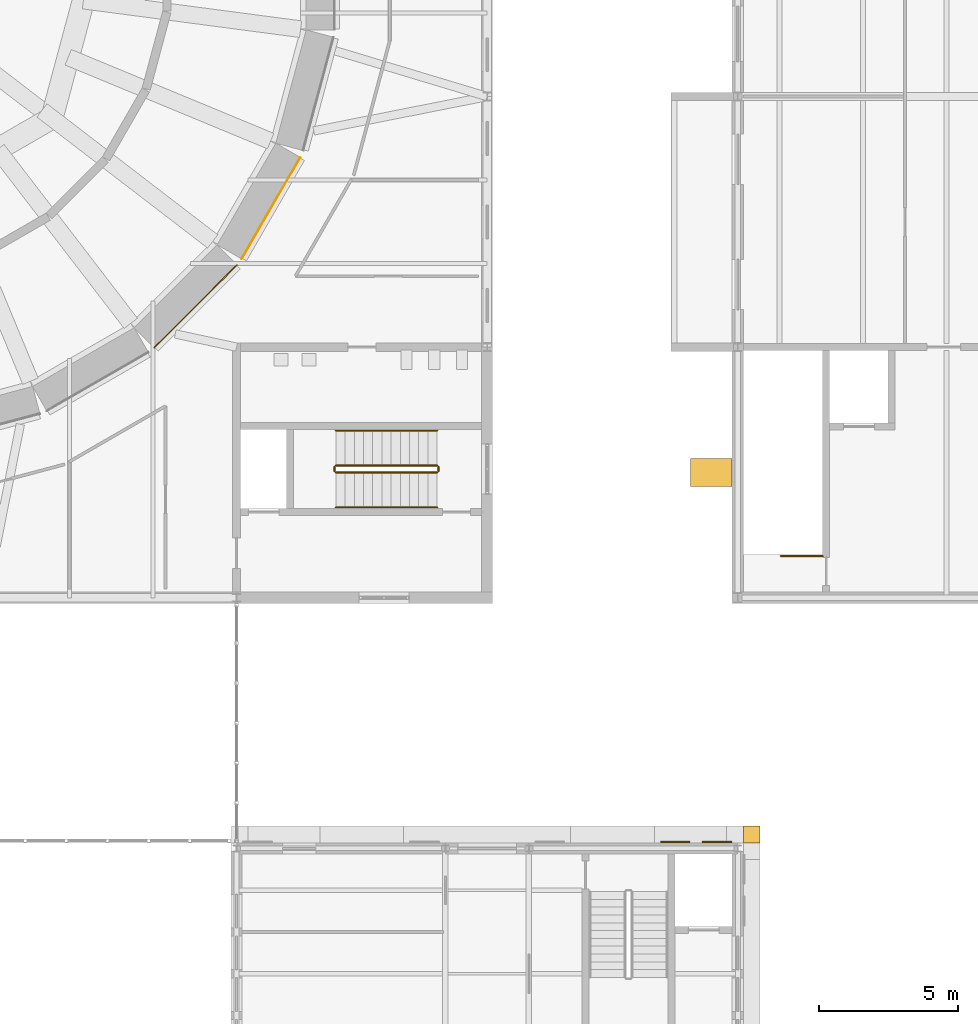
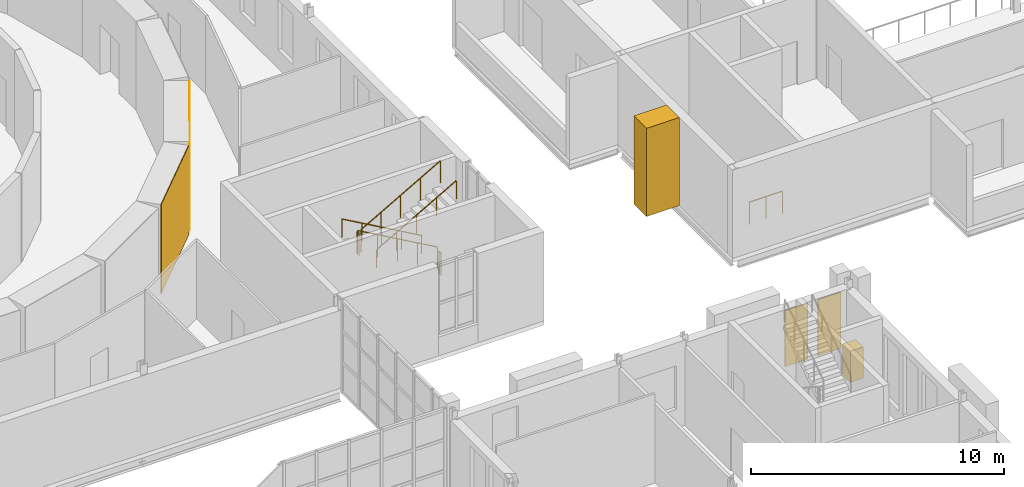
# One storey, part 121 of 131: 7 railings, 6 coverings.
"""IFC4 building model written with IfcOpenShell, lengths in metres."""

from ifc_helpers import new_model, si_unit, direction, frame, origin, origin_2d, place, context, subcontext, project, spatial, polyline, rectangle, circle, outline, extrude, material, layer, layer_set, type_object, element, save


model = new_model("IFC4")

# Units and contexts
model_context = context("Model", 3, precision=1e-05, world=origin(), true_north=direction((0.0, 1.0)))
body_context = subcontext(model_context, "Body", "Model", "MODEL_VIEW")
ifc_project = project(units=[si_unit("LENGTHUNIT", "METRE"), si_unit("AREAUNIT", "SQUARE_METRE"), si_unit("VOLUMEUNIT", "CUBIC_METRE"), si_unit("PLANEANGLEUNIT", "RADIAN"), si_unit("MASSUNIT", "GRAM", prefix="KILO")], contexts=[model_context])

# Site, building, storey
site_placement = place(None, origin())
site = spatial("IfcSite", under=ifc_project, at=site_placement, CompositionType="ELEMENT")
building_placement = place(site_placement, origin())
building = spatial("IfcBuilding", under=site, at=building_placement, Name="Golden Quay Civic Hall", CompositionType="ELEMENT")
storey_placement = place(building_placement, frame((0.0, 0.0, 9.89990234375)))
storey = spatial("IfcBuildingStorey", under=building, at=storey_placement, Name="L02", CompositionType="ELEMENT", Elevation=9.89990234375)

# Coverings
ifc_material_1 = material(Name="Brick, dark clay facing", Category="masonry")
covering_type_1 = type_object("IfcCoveringType", Name="Brick pier cladding 1000 x 1500", PredefinedType="CLADDING", material=ifc_material_1)
covering_1_placement = place(storey_placement, origin())
element("IfcCovering", 1, at=covering_1_placement, inside=storey, type_object=covering_type_1, Name="Brick pier cladding 1000 x 1500 L02 9", PredefinedType="CLADDING", context=body_context, shape_type="SweptSolid", body=[
    extrude(outline(polyline([(116.800048828125, 67.0), (116.800048828125, 68.0), (115.300048828125, 68.0), (115.300048828125, 67.0), (116.800048828125, 67.0)])), origin(), (0.0, 0.0, 1.0), 4.25),
])
ifc_material_2 = material(Name="Ceramic tile")
ifc_layer_1 = layer(ifc_material_2, 0.030029296875)
ifc_layer_set_1 = layer_set([ifc_layer_1], Name="Ceramic tile cladding, green glaze")
covering_type_2 = type_object("IfcCoveringType", Name="Ceramic tile cladding, green glaze", PredefinedType="CLADDING", material=ifc_layer_set_1)
for number, where, z_axis, x_axis, name in (
    (2, (97.531494140625, 73.468505859375, 0.0), (0.0, 0.0, 1.0), (0.707106781187, 0.707106781187, 0.0), "Drum cladding 21.1"),
    (3, (100.2353515625, 76.992431640625, 0.0), (0.0, 0.0, 1.0), (0.5, 0.866025403784, 0.0), "Drum cladding 22.1"),
):
    element("IfcCovering", number, at=place(storey_placement, frame(where, z_axis=z_axis, x_axis=x_axis)), inside=storey, type_object=covering_type_2, Name=name, PredefinedType="CLADDING", context=body_context, shape_type="SweptSolid", body=[
        extrude(rectangle(XDim=4.212890625, YDim=0.030029296875, at=origin_2d()), origin(), (0.0, 0.0, 1.0), 4.300048828125),
    ])

# Railings
ifc_material_3 = material(Name="Steel S355", Category="steel")
railing_type_1 = type_object("IfcRailingType", Name="Steel guard 1100", PredefinedType="GUARDRAIL", material=ifc_material_3)
railing_1_placement = place(storey_placement, frame((106.199951171875, 67.75, 0.1875)))
element("IfcRailing", 4, at=railing_1_placement, inside=storey, type_object=railing_type_1, Name="L02 CB-SE stair guard 1", PredefinedType="GUARDRAIL", context=body_context, shape_type="SweptSolid", body=[
    extrude(circle(Radius=0.02392578125, at=origin_2d()), frame((0.0, 0.0, 1.076171875), z_axis=(-0.869449707104, 0.0, 0.494021463923), x_axis=(0.0, -1.0, 0.0)), (0.0, 0.0, 1.0), 4.1748046875),
    extrude(circle(Radius=0.02099609375, at=origin_2d()), origin(), (0.0, 0.0, 1.0), 1.052001953125),
    extrude(circle(Radius=0.02099609375, at=origin_2d()), frame((-0.907470703125, 0.0, 0.515625)), (0.0, 0.0, 1.0), 1.052001953125),
    extrude(circle(Radius=0.02099609375, at=origin_2d()), frame((-1.81494140625, 0.0, 1.03125)), (0.0, 0.0, 1.0), 1.052001953125),
    extrude(circle(Radius=0.02099609375, at=origin_2d()), frame((-2.722412109375, 0.0, 1.546875)), (0.0, 0.0, 1.0), 1.052001953125),
    extrude(circle(Radius=0.02099609375, at=origin_2d()), frame((-3.6298828125, 0.0, 2.0625)), (0.0, 0.0, 1.0), 1.052001953125),
])
railing_2_placement = place(storey_placement, frame((102.52001953125, 67.699951171875, 2.25)))
element("IfcRailing", 5, at=railing_2_placement, inside=storey, type_object=railing_type_1, Name="L02 CB-SE stair guard 2", PredefinedType="GUARDRAIL", context=body_context, shape_type="SweptSolid", body=[
    extrude(circle(Radius=0.02392578125, at=origin_2d()), frame((0.0, 0.0, 1.076171875), z_axis=(0.0, -1.0, 0.0), x_axis=(1.0, 0.0, 0.0)), (0.0, 0.0, 1.0), 0.14990234375),
    extrude(circle(Radius=0.02099609375, at=origin_2d()), origin(), (0.0, 0.0, 1.0), 1.052001953125),
    extrude(circle(Radius=0.02099609375, at=origin_2d()), frame((0.0, -0.14990234375, 0.0)), (0.0, 0.0, 1.0), 1.052001953125),
])
railing_3_placement = place(storey_placement, frame((102.570068359375, 67.5, 2.4375)))
element("IfcRailing", 6, at=railing_3_placement, inside=storey, type_object=railing_type_1, Name="L02 CB-SE stair guard 3", PredefinedType="GUARDRAIL", context=body_context, shape_type="SweptSolid", body=[
    extrude(circle(Radius=0.02392578125, at=origin_2d()), frame((0.0, 0.0, 1.076171875), z_axis=(0.869449707104, 0.0, 0.494021463923), x_axis=(0.0, 1.0, 0.0)), (0.0, 0.0, 1.0), 4.1748046875),
    extrude(circle(Radius=0.02099609375, at=origin_2d()), origin(), (0.0, 0.0, 1.0), 1.052001953125),
    extrude(circle(Radius=0.02099609375, at=origin_2d()), frame((0.907470703125, 0.0, 0.515625)), (0.0, 0.0, 1.0), 1.052001953125),
    extrude(circle(Radius=0.02099609375, at=origin_2d()), frame((1.81494140625, 0.0, 1.03125)), (0.0, 0.0, 1.0), 1.052001953125),
    extrude(circle(Radius=0.02099609375, at=origin_2d()), frame((2.722412109375, 0.0, 1.546875)), (0.0, 0.0, 1.0), 1.052001953125),
    extrude(circle(Radius=0.02099609375, at=origin_2d()), frame((3.6298828125, 0.0, 2.0625)), (0.0, 0.0, 1.0), 1.052001953125),
])
railing_4_placement = place(storey_placement, frame((106.25, 67.699951171875, 0.0)))
element("IfcRailing", 7, at=railing_4_placement, inside=storey, type_object=railing_type_1, Name="L02 CB-SE stair guard 4", PredefinedType="GUARDRAIL", context=body_context, shape_type="SweptSolid", body=[
    extrude(circle(Radius=0.02392578125, at=origin_2d()), frame((0.0, 0.0, 1.076171875), z_axis=(0.0, -1.0, 0.0), x_axis=(1.0, 0.0, 0.0)), (0.0, 0.0, 1.0), 0.14990234375),
    extrude(circle(Radius=0.02099609375, at=origin_2d()), origin(), (0.0, 0.0, 1.0), 1.052001953125),
    extrude(circle(Radius=0.02099609375, at=origin_2d()), frame((0.0, -0.14990234375, 0.0)), (0.0, 0.0, 1.0), 1.052001953125),
])
railing_5_placement = place(storey_placement, frame((120.050048828125, 64.5, 0.0)))
element("IfcRailing", 8, at=railing_5_placement, inside=storey, type_object=railing_type_1, Name="L02 LB-STW top well guard 1", PredefinedType="GUARDRAIL", context=body_context, shape_type="SweptSolid", body=[
    extrude(circle(Radius=0.02392578125, at=origin_2d()), frame((0.0, 0.0, 1.076171875), z_axis=(-1.0, 0.0, 0.0), x_axis=(0.0, -1.0, 0.0)), (0.0, 0.0, 1.0), 1.5),
    extrude(circle(Radius=0.02099609375, at=origin_2d()), origin(), (0.0, 0.0, 1.0), 1.052001953125),
    extrude(circle(Radius=0.02099609375, at=origin_2d()), frame((-0.75, 0.0, 0.0)), (0.0, 0.0, 1.0), 1.052001953125),
    extrude(circle(Radius=0.02099609375, at=origin_2d()), frame((-1.5, 0.0, 0.0)), (0.0, 0.0, 1.0), 1.052001953125),
])
ifc_material_4 = material(Name="Steel S355", Category="steel")
railing_type_2 = type_object("IfcRailingType", Name="Steel handrail 900", PredefinedType="HANDRAIL", material=ifc_material_4)
railing_6_placement = place(storey_placement, frame((106.199951171875, 69.0, 0.1875)))
element("IfcRailing", 9, at=railing_6_placement, inside=storey, type_object=railing_type_2, Name="L02 CB-SE stair handrail 1", PredefinedType="HANDRAIL", context=body_context, shape_type="SweptSolid", body=[
    extrude(circle(Radius=0.02392578125, at=origin_2d()), frame((0.0, 0.0, 0.8759765625), z_axis=(-0.869449707104, 0.0, 0.494021463923), x_axis=(0.0, -1.0, 0.0)), (0.0, 0.0, 1.0), 4.1748046875),
    extrude(circle(Radius=0.02099609375, at=origin_2d()), origin(), (0.0, 0.0, 1.0), 0.851806640625),
    extrude(circle(Radius=0.02099609375, at=origin_2d()), frame((-0.907470703125, 0.0, 0.515625)), (0.0, 0.0, 1.0), 0.851806640625),
    extrude(circle(Radius=0.02099609375, at=origin_2d()), frame((-1.81494140625, 0.0, 1.03125)), (0.0, 0.0, 1.0), 0.851806640625),
    extrude(circle(Radius=0.02099609375, at=origin_2d()), frame((-2.722412109375, 0.0, 1.546875)), (0.0, 0.0, 1.0), 0.851806640625),
    extrude(circle(Radius=0.02099609375, at=origin_2d()), frame((-3.6298828125, 0.0, 2.0625)), (0.0, 0.0, 1.0), 0.851806640625),
])
railing_7_placement = place(storey_placement, frame((102.570068359375, 66.25, 2.4375)))
element("IfcRailing", 10, at=railing_7_placement, inside=storey, type_object=railing_type_2, Name="L02 CB-SE stair handrail 2", PredefinedType="HANDRAIL", context=body_context, shape_type="SweptSolid", body=[
    extrude(circle(Radius=0.02392578125, at=origin_2d()), frame((0.0, 0.0, 0.8759765625), z_axis=(0.869449707104, 0.0, 0.494021463923), x_axis=(0.0, 1.0, 0.0)), (0.0, 0.0, 1.0), 4.1748046875),
    extrude(circle(Radius=0.02099609375, at=origin_2d()), origin(), (0.0, 0.0, 1.0), 0.851806640625),
    extrude(circle(Radius=0.02099609375, at=origin_2d()), frame((0.907470703125, 0.0, 0.515625)), (0.0, 0.0, 1.0), 0.851806640625),
    extrude(circle(Radius=0.02099609375, at=origin_2d()), frame((1.81494140625, 0.0, 1.03125)), (0.0, 0.0, 1.0), 0.851806640625),
    extrude(circle(Radius=0.02099609375, at=origin_2d()), frame((2.722412109375, 0.0, 1.546875)), (0.0, 0.0, 1.0), 0.851806640625),
    extrude(circle(Radius=0.02099609375, at=origin_2d()), frame((3.6298828125, 0.0, 2.0625)), (0.0, 0.0, 1.0), 0.851806640625),
])

# Coverings
ifc_material_5 = material(Name="Terracotta cladding, golden glaze", Category="masonry")
ifc_layer_2 = layer(ifc_material_5, 0.050048828125)
ifc_layer_set_2 = layer_set([ifc_layer_2], Name="Terracotta solid panel 1050 x 2700 x 50")
covering_type_3 = type_object("IfcCoveringType", Name="Terracotta solid panel 1050 x 2700 x 50", PredefinedType="CLADDING", material=ifc_layer_set_2)
covering_2_placement = place(storey_placement, frame((0.0, 0.0, 0.900146484375)))
element("IfcCovering", 11, at=covering_2_placement, inside=storey, type_object=covering_type_3, Name="Terracotta solid panel 1050 x 2700 x 50 L02 30", PredefinedType="CLADDING", context=body_context, shape_type="SweptSolid", body=[
    extrude(outline(polyline([(114.22509765625, 54.199951171875), (115.27490234375, 54.199951171875), (115.27490234375, 54.25), (114.22509765625, 54.25), (114.22509765625, 54.199951171875)])), origin(), (0.0, 0.0, 1.0), 2.699951171875),
])
covering_3_placement = place(storey_placement, frame((0.0, 0.0, 0.900146484375)))
element("IfcCovering", 12, at=covering_3_placement, inside=storey, type_object=covering_type_3, Name="Terracotta solid panel 1050 x 2700 x 50 L02 31", PredefinedType="CLADDING", context=body_context, shape_type="SweptSolid", body=[
    extrude(outline(polyline([(115.72509765625, 54.199951171875), (116.77490234375, 54.199951171875), (116.77490234375, 54.25), (115.72509765625, 54.25), (115.72509765625, 54.199951171875)])), origin(), (0.0, 0.0, 1.0), 2.699951171875),
])
ifc_material_6 = material(Name="Terracotta cladding, golden glaze", Category="masonry")
covering_type_4 = type_object("IfcCoveringType", Name="Terracotta spandrel fascia 600 x 1500", PredefinedType="CLADDING", material=ifc_material_6)
covering_4_placement = place(storey_placement, frame((0.0, 0.0, -0.89990234375)))
element("IfcCovering", 13, at=covering_4_placement, inside=storey, type_object=covering_type_4, Name="Terracotta spandrel fascia 600 x 1500 L02 10", PredefinedType="CLADDING", context=body_context, shape_type="SweptSolid", body=[
    extrude(outline(polyline([(117.199951171875, 54.199951171875), (117.199951171875, 54.800048828125), (117.800048828125, 54.800048828125), (117.800048828125, 54.199951171875), (117.199951171875, 54.199951171875)])), origin(), (0.0, 0.0, 1.0), 1.5),
])

save(model, "model.ifc")
